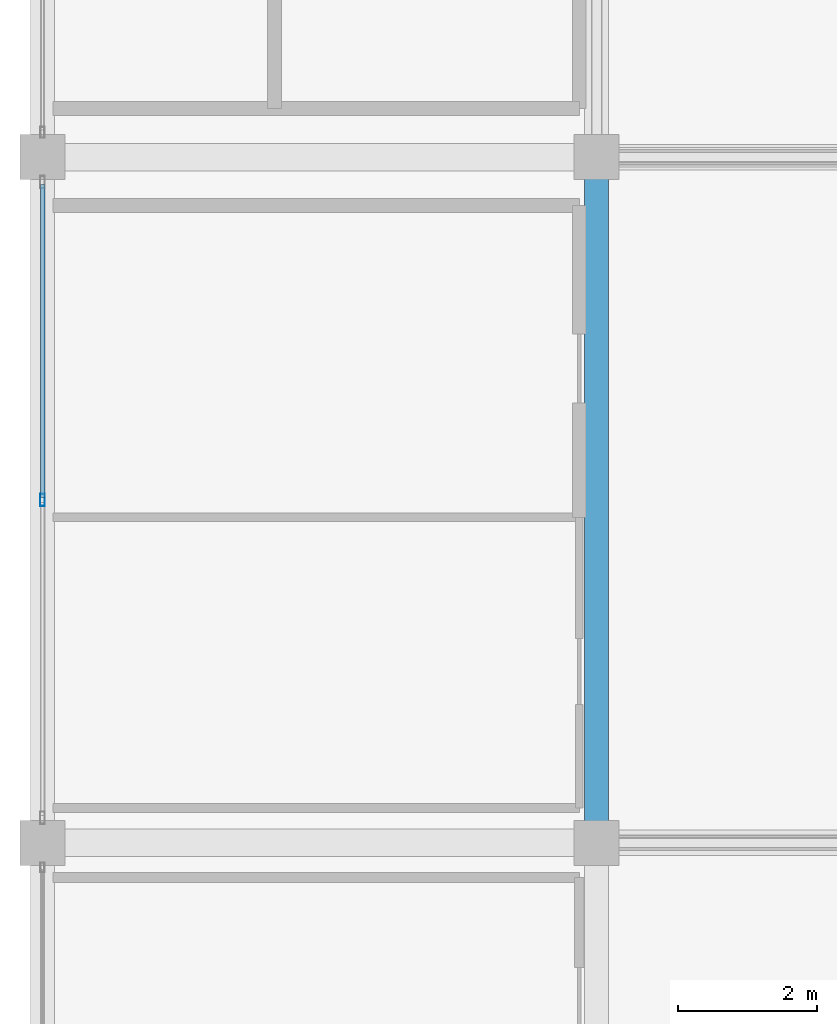
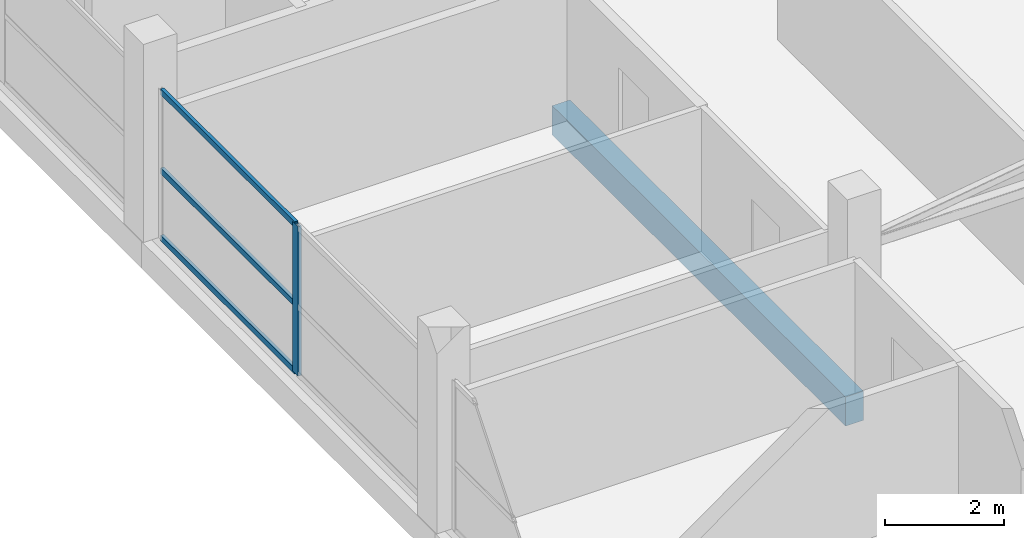
# One storey, part 24 of 70: 4 members, 1 beam, 1 element without a shape of its own.
"""IFC4 building model written with IfcOpenShell, lengths in metres."""

from ifc_helpers import new_model, si_unit, direction, frame, origin, origin_2d, place, context, subcontext, project, spatial, rectangle, hollow_rectangle, extrude, material, layer, layer_set, material_profile, profile_set, type_object, element, aggregate, save


model = new_model("IFC4")

# Units and contexts
model_context = context("Model", 3, precision=1e-05, world=origin(), true_north=direction((0.0, 1.0)))
body_context = subcontext(model_context, "Body", "Model", "MODEL_VIEW")
ifc_project = project(units=[si_unit("LENGTHUNIT", "METRE"), si_unit("AREAUNIT", "SQUARE_METRE"), si_unit("VOLUMEUNIT", "CUBIC_METRE"), si_unit("PLANEANGLEUNIT", "RADIAN"), si_unit("MASSUNIT", "GRAM", prefix="KILO")], contexts=[model_context])

# Site, building, storey
site_placement = place(None, origin())
site = spatial("IfcSite", under=ifc_project, at=site_placement, CompositionType="ELEMENT")
building_placement = place(site_placement, origin())
building = spatial("IfcBuilding", under=site, at=building_placement, Name="Sillaruma Civic Art Gallery", CompositionType="ELEMENT")
storey_placement = place(building_placement, frame((0.0, 0.0, 66.300048828125)))
storey = spatial("IfcBuildingStorey", under=building, at=storey_placement, Name="L13", CompositionType="ELEMENT", Elevation=66.300048828125)

# Beam
ifc_material_1 = material(Name="Concrete H35 (35 MPa)", Category="concrete")
ifc_material_profile_1 = material_profile(ifc_material_1, rectangle(XDim=0.35009765625, YDim=0.60009765625, at=origin_2d()), Name="RCB350x600")
ifc_profile_set_1 = profile_set([ifc_material_profile_1], Name="Concrete H35 (35 MPa)")
beam_type = type_object("IfcBeamType", Name="BM-BEAM-RCB350x600", PredefinedType="BEAM", material=ifc_profile_set_1)
beam_placement = place(storey_placement, frame((70.0, 59.39990234375, -0.530029296875), z_axis=(0.0, 1.0, 0.0), x_axis=(-1.0, 0.0, 0.0)))
element("IfcBeam", 1, at=beam_placement, inside=storey, type_object=beam_type, Name="Beam BM-06 (L12:G:7-8)", PredefinedType="BEAM", context=body_context, shape_type="SweptSolid", body=[
    extrude(rectangle(XDim=0.35009765625, YDim=0.60009765625, at=origin_2d()), origin(), (0.0, 0.0, 1.0), 9.900146484375),
])

# Curtain wall, members
ifc_material_2 = material(Name="Thermally Broken Extruded Aluminium 6063-T6", Category="aluminium")
ifc_layer = layer(ifc_material_2, 0.179931640625, Name="Thermally Broken Extruded Aluminium 6063-T6")
ifc_layer_set = layer_set([ifc_layer], Name="Thermally Broken Extruded Aluminium 6063-T6")
curtain_wall_type = type_object("IfcCurtainWallType", Name="CW-UNI-92", PredefinedType="NOTDEFINED", material=ifc_layer_set)
curtain_wall_placement = place(storey_placement, origin())
curtain_wall = element("IfcCurtainWall", 2, at=curtain_wall_placement, inside=storey, type_object=curtain_wall_type, Name="Unitised Curtain Wall CW-92 (CW-L13-WBW-5)", PredefinedType="NOTDEFINED")
ifc_material_profile_2 = material_profile(ifc_material_2, hollow_rectangle(XDim=0.070068359375, YDim=0.179931640625, WallThickness=0.00390625, at=origin_2d()), Name="CWM70x180")
ifc_profile_set_2 = profile_set([ifc_material_profile_2], Name="Thermally Broken Extruded Aluminium 6063-T6")
member_type_1 = type_object("IfcMemberType", Name="MEM-MUL-CWM70x180", PredefinedType="MULLION", material=ifc_profile_set_2)
member_1_placement = place(storey_placement, frame((62.0, 64.35009765625, 0.0), z_axis=(0.0, 0.0, 1.0), x_axis=(-1.0, 0.0, 0.0)))
member_1 = element("IfcMember", 3, at=member_1_placement, type_object=member_type_1, Name="CW-92 mullion 2", PredefinedType="MULLION", context=body_context, shape_type="SweptSolid", body=[
    extrude(hollow_rectangle(XDim=0.070068359375, YDim=0.179931640625, WallThickness=0.00390625, at=origin_2d()), origin(), (0.0, 0.0, 1.0), 3.079833984375),
])
ifc_material_profile_3 = material_profile(ifc_material_2, hollow_rectangle(XDim=0.06494140625, YDim=0.1201171875, WallThickness=0.00341796875, at=origin_2d()), Name="CWT65x120")
ifc_profile_set_3 = profile_set([ifc_material_profile_3], Name="Thermally Broken Extruded Aluminium 6063-T6")
member_type_2 = type_object("IfcMemberType", Name="MEM-TRN-CWT65x120", PredefinedType="USERDEFINED", material=ifc_profile_set_3)
member_2_placement = place(storey_placement, frame((62.0, 64.385009765625, 0.032470703125), z_axis=(0.0, 1.0, 0.0), x_axis=(-1.0, 0.0, 0.0)))
member_2 = element("IfcMember", 4, at=member_2_placement, type_object=member_type_2, Name="CW-92 transom 2.1", ObjectType="TRANSOM", PredefinedType="USERDEFINED", context=body_context, shape_type="SweptSolid", body=[
    extrude(hollow_rectangle(XDim=0.06494140625, YDim=0.1201171875, WallThickness=0.00341796875, at=origin_2d()), origin(), (0.0, 0.0, 1.0), 4.52001953125),
])
member_3_placement = place(storey_placement, frame((62.0, 64.385009765625, 1.416748046875), z_axis=(0.0, 1.0, 0.0), x_axis=(-1.0, 0.0, 0.0)))
member_3 = element("IfcMember", 5, at=member_3_placement, type_object=member_type_2, Name="CW-92 transom 2.2", ObjectType="TRANSOM", PredefinedType="USERDEFINED", context=body_context, shape_type="SweptSolid", body=[
    extrude(hollow_rectangle(XDim=0.06494140625, YDim=0.1201171875, WallThickness=0.00341796875, at=origin_2d()), origin(), (0.0, 0.0, 1.0), 4.52001953125),
])
member_4_placement = place(storey_placement, frame((62.0, 64.385009765625, 3.04736328125), z_axis=(0.0, 1.0, 0.0), x_axis=(-1.0, 0.0, 0.0)))
member_4 = element("IfcMember", 6, at=member_4_placement, type_object=member_type_2, Name="CW-92 transom 2.3", ObjectType="TRANSOM", PredefinedType="USERDEFINED", context=body_context, shape_type="SweptSolid", body=[
    extrude(hollow_rectangle(XDim=0.06494140625, YDim=0.1201171875, WallThickness=0.00341796875, at=origin_2d()), origin(), (0.0, 0.0, 1.0), 4.52001953125),
])
aggregate(curtain_wall, [member_1, member_2, member_3, member_4])

save(model, "model.ifc")
